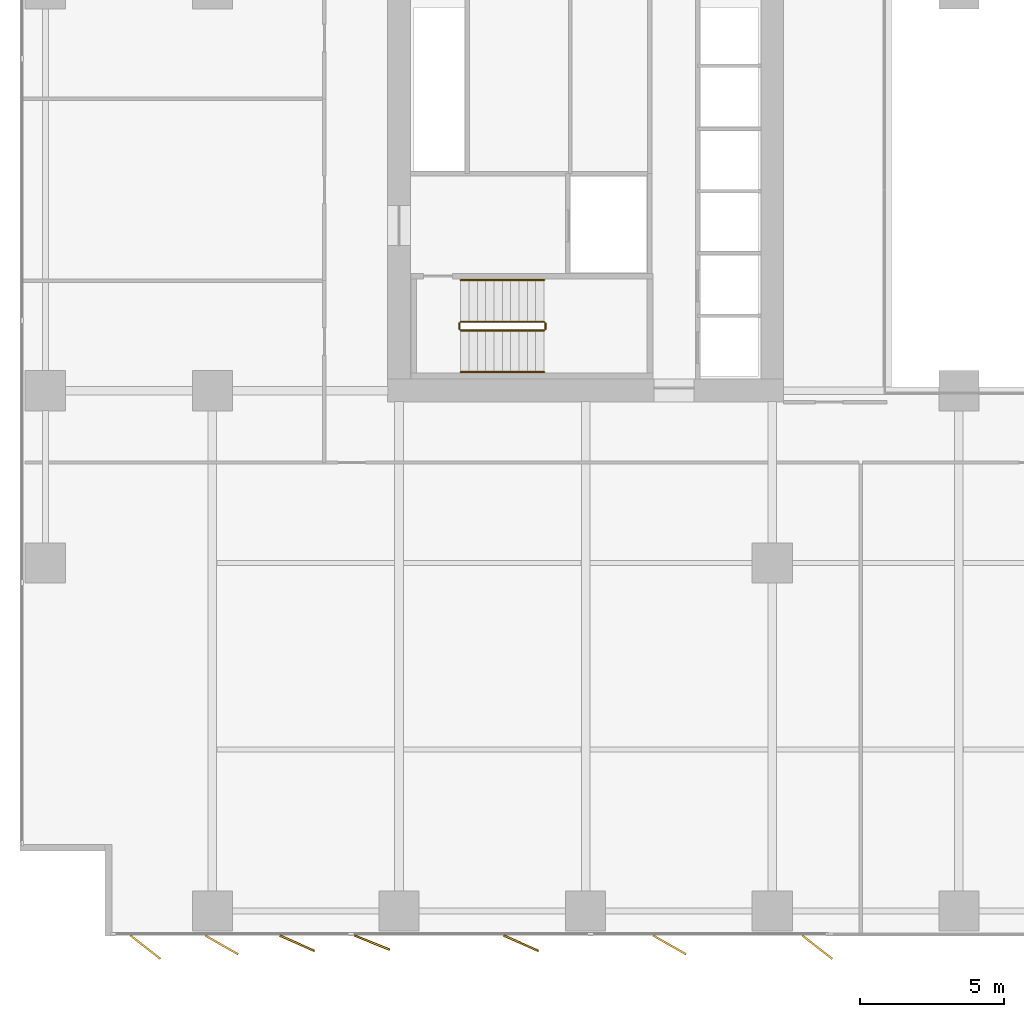
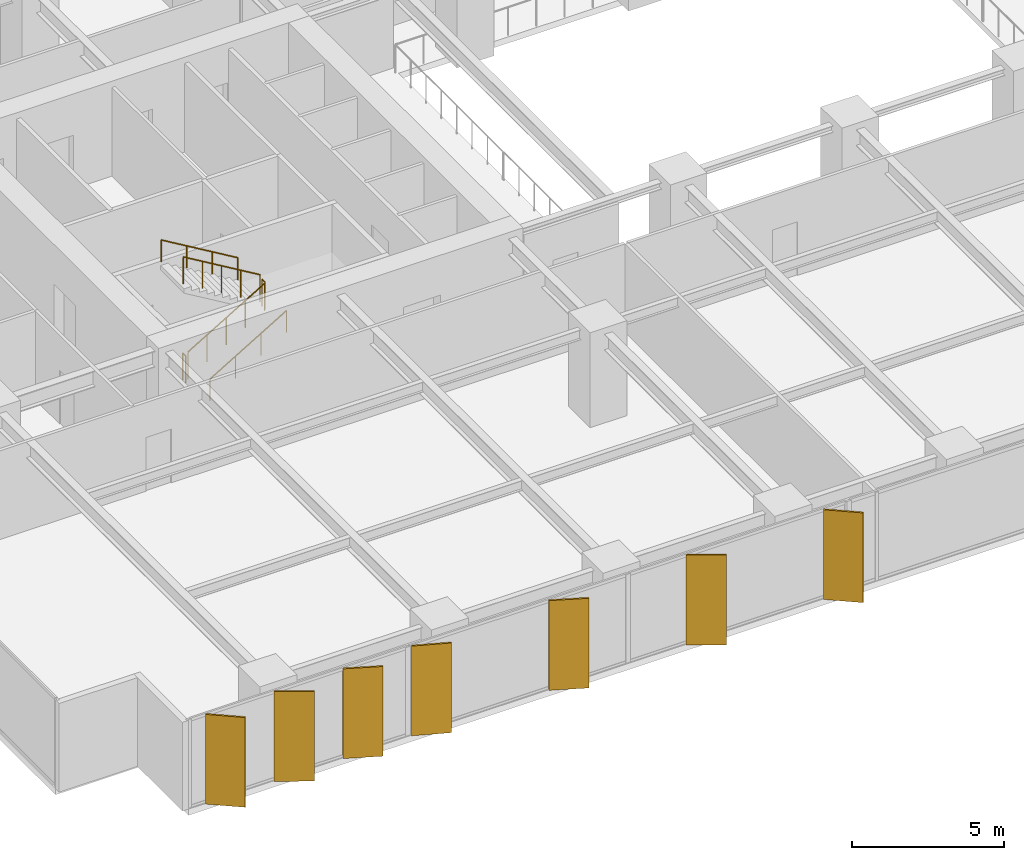
# One storey, part 17 of 20: 7 shading devices, 6 railings.
"""IFC4 building model written with IfcOpenShell, lengths in metres."""

from ifc_helpers import new_model, si_unit, direction, frame, origin, origin_2d, place, context, subcontext, project, spatial, rectangle, circle, extrude, material, layer, layer_set, type_object, element, save


model = new_model("IFC4")

# Units and contexts
model_context = context("Model", 3, precision=1e-05, world=origin(), true_north=direction((0.0, 1.0)))
body_context = subcontext(model_context, "Body", "Model", "MODEL_VIEW")
ifc_project = project(units=[si_unit("LENGTHUNIT", "METRE"), si_unit("AREAUNIT", "SQUARE_METRE"), si_unit("VOLUMEUNIT", "CUBIC_METRE"), si_unit("PLANEANGLEUNIT", "RADIAN"), si_unit("MASSUNIT", "GRAM", prefix="KILO")], contexts=[model_context])

# Site, building, storey
site_placement = place(None, origin())
site = spatial("IfcSite", under=ifc_project, at=site_placement, CompositionType="ELEMENT")
building_placement = place(site_placement, origin())
building = spatial("IfcBuilding", under=site, at=building_placement, Name="Putna Gate Headquarters", CompositionType="ELEMENT")
storey_placement = place(building_placement, frame((0.0, 0.0, 54.39990234375)))
storey = spatial("IfcBuildingStorey", under=building, at=storey_placement, Name="L12", CompositionType="ELEMENT", Elevation=54.39990234375)

# Railings
ifc_material_1 = material(Name="Powder-coated steel stair guardrail", Category="steel")
railing_type_1 = type_object("IfcRailingType", Name="RAIL-STAIR-GUARD-1100", PredefinedType="GUARDRAIL", material=ifc_material_1)
railing_1_placement = place(storey_placement, frame((15.14990234375, 21.10009765625, 0.1728515625)))
element("IfcRailing", 1, at=railing_1_placement, inside=storey, type_object=railing_type_1, Name="L12 ST1 stair guard 1", PredefinedType="GUARDRAIL", context=body_context, shape_type="SweptSolid", body=[
    extrude(circle(Radius=0.02392578125, at=origin_2d()), frame((0.0, 0.0, 1.076171875), z_axis=(0.859160404282, 0.0, 0.51170636083), x_axis=(0.0, 1.0, 0.0)), (0.0, 0.0, 1.0), 3.37548828125),
    extrude(circle(Radius=0.02099609375, at=origin_2d()), origin(), (0.0, 0.0, 1.0), 1.052001953125),
    extrude(circle(Radius=0.02099609375, at=origin_2d()), frame((0.72509765625, 0.0, 0.431884765625)), (0.0, 0.0, 1.0), 1.052001953125),
    extrude(circle(Radius=0.02099609375, at=origin_2d()), frame((1.4501953125, 0.0, 0.86376953125)), (0.0, 0.0, 1.0), 1.052001953125),
    extrude(circle(Radius=0.02099609375, at=origin_2d()), frame((2.175048828125, 0.0, 1.29541015625)), (0.0, 0.0, 1.0), 1.052001953125),
    extrude(circle(Radius=0.02099609375, at=origin_2d()), frame((2.900146484375, 0.0, 1.727294921875)), (0.0, 0.0, 1.0), 1.052001953125),
])
railing_2_placement = place(storey_placement, frame((18.10009765625, 21.14990234375, 1.900146484375)))
element("IfcRailing", 2, at=railing_2_placement, inside=storey, type_object=railing_type_1, Name="L12 ST1 stair guard 2", PredefinedType="GUARDRAIL", context=body_context, shape_type="SweptSolid", body=[
    extrude(circle(Radius=0.02392578125, at=origin_2d()), frame((0.0, 0.0, 1.076171875), z_axis=(0.0, 1.0, 0.0), x_axis=(-1.0, 0.0, 0.0)), (0.0, 0.0, 1.0), 0.2001953125),
    extrude(circle(Radius=0.02099609375, at=origin_2d()), origin(), (0.0, 0.0, 1.0), 1.052001953125),
    extrude(circle(Radius=0.02099609375, at=origin_2d()), frame((0.0, 0.2001953125, 0.0)), (0.0, 0.0, 1.0), 1.052001953125),
])
railing_3_placement = place(storey_placement, frame((18.050048828125, 21.39990234375, 2.07275390625)))
element("IfcRailing", 3, at=railing_3_placement, inside=storey, type_object=railing_type_1, Name="L12 ST1 stair guard 3", PredefinedType="GUARDRAIL", context=body_context, shape_type="SweptSolid", body=[
    extrude(circle(Radius=0.02392578125, at=origin_2d()), frame((0.0, 0.0, 1.076171875), z_axis=(-0.859160404282, 0.0, 0.51170636083), x_axis=(0.0, -1.0, 0.0)), (0.0, 0.0, 1.0), 3.37548828125),
    extrude(circle(Radius=0.02099609375, at=origin_2d()), origin(), (0.0, 0.0, 1.0), 1.052001953125),
    extrude(circle(Radius=0.02099609375, at=origin_2d()), frame((-0.72509765625, 0.0, 0.431884765625)), (0.0, 0.0, 1.0), 1.052001953125),
    extrude(circle(Radius=0.02099609375, at=origin_2d()), frame((-1.4501953125, 0.0, 0.86376953125)), (0.0, 0.0, 1.0), 1.052001953125),
    extrude(circle(Radius=0.02099609375, at=origin_2d()), frame((-2.175048828125, 0.0, 1.29541015625)), (0.0, 0.0, 1.0), 1.052001953125),
    extrude(circle(Radius=0.02099609375, at=origin_2d()), frame((-2.900146484375, 0.0, 1.727294921875)), (0.0, 0.0, 1.0), 1.052001953125),
])
railing_4_placement = place(storey_placement, frame((15.10009765625, 21.14990234375, 0.0)))
element("IfcRailing", 4, at=railing_4_placement, inside=storey, type_object=railing_type_1, Name="L12 ST1 stair guard 4", PredefinedType="GUARDRAIL", context=body_context, shape_type="SweptSolid", body=[
    extrude(circle(Radius=0.02392578125, at=origin_2d()), frame((0.0, 0.0, 1.076171875), z_axis=(0.0, 1.0, 0.0), x_axis=(-1.0, 0.0, 0.0)), (0.0, 0.0, 1.0), 0.2001953125),
    extrude(circle(Radius=0.02099609375, at=origin_2d()), origin(), (0.0, 0.0, 1.0), 1.052001953125),
    extrude(circle(Radius=0.02099609375, at=origin_2d()), frame((0.0, 0.2001953125, 0.0)), (0.0, 0.0, 1.0), 1.052001953125),
])
ifc_material_2 = material(Name="Brushed stainless steel handrail", Category="steel")
railing_type_2 = type_object("IfcRailingType", Name="RAIL-STAIR-HAND-900", PredefinedType="HANDRAIL", material=ifc_material_2)
railing_5_placement = place(storey_placement, frame((15.14990234375, 19.64990234375, 0.1728515625)))
element("IfcRailing", 5, at=railing_5_placement, inside=storey, type_object=railing_type_2, Name="L12 ST1 stair handrail 1", PredefinedType="HANDRAIL", context=body_context, shape_type="SweptSolid", body=[
    extrude(circle(Radius=0.02392578125, at=origin_2d()), frame((0.0, 0.0, 0.8759765625), z_axis=(0.859160404282, 0.0, 0.51170636083), x_axis=(0.0, 1.0, 0.0)), (0.0, 0.0, 1.0), 3.37548828125),
    extrude(circle(Radius=0.02099609375, at=origin_2d()), origin(), (0.0, 0.0, 1.0), 0.851806640625),
    extrude(circle(Radius=0.02099609375, at=origin_2d()), frame((0.966796875, 0.0, 0.57568359375)), (0.0, 0.0, 1.0), 0.851806640625),
    extrude(circle(Radius=0.02099609375, at=origin_2d()), frame((1.933349609375, 0.0, 1.151611328125)), (0.0, 0.0, 1.0), 0.851806640625),
    extrude(circle(Radius=0.02099609375, at=origin_2d()), frame((2.900146484375, 0.0, 1.727294921875)), (0.0, 0.0, 1.0), 0.851806640625),
])
railing_6_placement = place(storey_placement, frame((18.050048828125, 22.85009765625, 2.07275390625)))
element("IfcRailing", 6, at=railing_6_placement, inside=storey, type_object=railing_type_2, Name="L12 ST1 stair handrail 2", PredefinedType="HANDRAIL", context=body_context, shape_type="SweptSolid", body=[
    extrude(circle(Radius=0.02392578125, at=origin_2d()), frame((0.0, 0.0, 0.8759765625), z_axis=(-0.859160404282, 0.0, 0.51170636083), x_axis=(0.0, -1.0, 0.0)), (0.0, 0.0, 1.0), 3.37548828125),
    extrude(circle(Radius=0.02099609375, at=origin_2d()), origin(), (0.0, 0.0, 1.0), 0.851806640625),
    extrude(circle(Radius=0.02099609375, at=origin_2d()), frame((-0.966796875, 0.0, 0.57568359375)), (0.0, 0.0, 1.0), 0.851806640625),
    extrude(circle(Radius=0.02099609375, at=origin_2d()), frame((-1.933349609375, 0.0, 1.151611328125)), (0.0, 0.0, 1.0), 0.851806640625),
    extrude(circle(Radius=0.02099609375, at=origin_2d()), frame((-2.900146484375, 0.0, 1.727294921875)), (0.0, 0.0, 1.0), 0.851806640625),
])

# Shading devices
ifc_material_3 = material(Name="Anodised architectural bronze aluminium fin", Category="aluminium")
ifc_layer = layer(ifc_material_3, 0.06494140625)
ifc_layer_set = layer_set([ifc_layer], Name="Anodised architectural bronze aluminium fin")
shading_device_type = type_object("IfcShadingDeviceType", Name="SHADE-BRONZE-FIN-1320", PredefinedType="USERDEFINED", material=ifc_layer_set)
for number, where, z_axis, x_axis, name in (
    (7, (4.169677734375, -0.3818359375, -0.02001953125), (0.0, 0.0, 1.0), (0.787473187632, -0.616348909921, 0.0), "L12 Bronze Vertical Shading Fin S1"),
    (8, (6.82373046875, -0.30126953125, -0.02001953125), (0.0, 0.0, 1.0), (0.869322458298, -0.494245347472, 0.0), "L12 Bronze Vertical Shading Fin S2"),
    (9, (9.452880859375, -0.2431640625, -0.02001953125), (0.0, 0.0, 1.0), (0.913687379856, -0.40641773078, 0.0), "L12 Bronze Vertical Shading Fin S3"),
    (10, (12.06201171875, -0.22216796875, -0.02001953125), (0.0, 0.0, 1.0), (0.927183854567, -0.374606593416, 0.0), "L12 Bronze Vertical Shading Fin S4"),
    (11, (17.2529296875, -0.2431640625, -0.02001953125), (0.0, 0.0, 1.0), (0.913687379856, -0.40641773078, 0.0), "L12 Bronze Vertical Shading Fin S5"),
    (12, (22.423828125, -0.30126953125, -0.02001953125), (0.0, 0.0, 1.0), (0.869322458298, -0.494245347472, 0.0), "L12 Bronze Vertical Shading Fin S6"),
    (13, (27.569580078125, -0.3818359375, -0.02001953125), (0.0, 0.0, 1.0), (0.787473187632, -0.616348909921, 0.0), "L12 Bronze Vertical Shading Fin S7"),
):
    element("IfcShadingDevice", number, at=place(storey_placement, frame(where, z_axis=z_axis, x_axis=x_axis)), inside=storey, type_object=shading_device_type, Name=name, ObjectType="FIN", PredefinedType="USERDEFINED", context=body_context, shape_type="SweptSolid", body=[
        extrude(rectangle(XDim=1.320068359375, YDim=0.06494140625, at=origin_2d()), origin(), (0.0, 0.0, 1.0), 3.590087890625),
    ])

save(model, "model.ifc")
